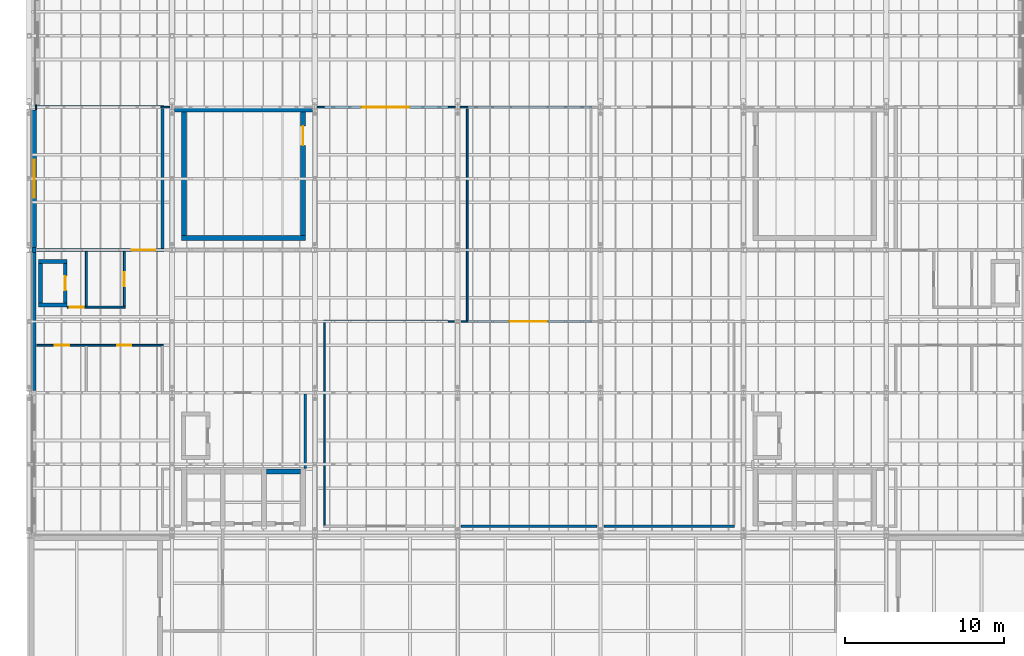
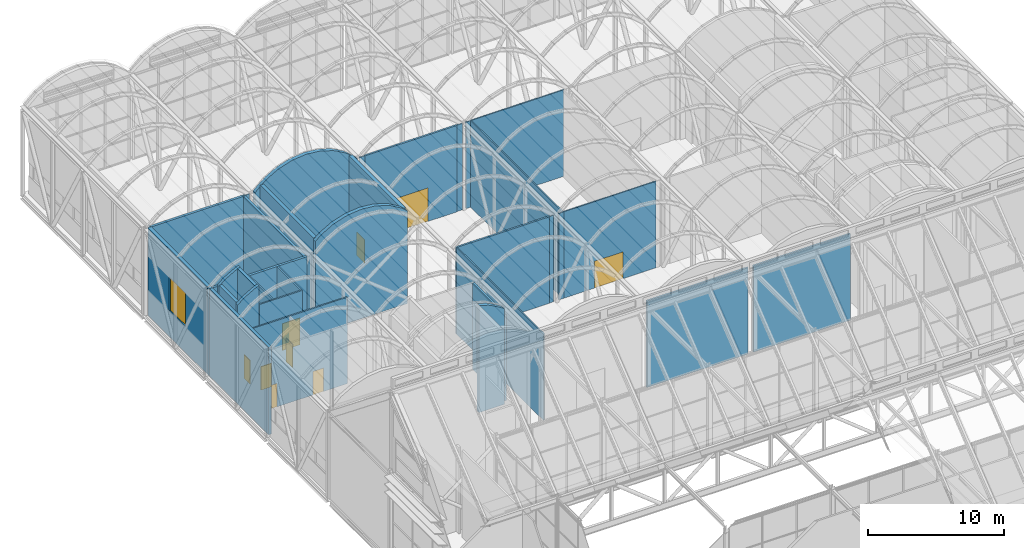
# One storey, part 129 of 144: 35 walls, 9 doors, 1 window, 10 openings.
"""IFC4 building model written with IfcOpenShell, lengths in metres."""

from ifc_helpers import new_model, si_unit, direction, frame, frame_2d, origin, place, context, subcontext, project, spatial, polyline, rectangle, outline, extrude, material, layer, layer_set, type_object, element, fill, save


model = new_model("IFC4")

# Units and contexts
model_context = context("Model", 3, precision=1e-05, world=origin(), true_north=direction((0.0, 1.0)))
body_context = subcontext(model_context, "Body", "Model", "MODEL_VIEW")
ifc_project = project(units=[si_unit("LENGTHUNIT", "METRE"), si_unit("AREAUNIT", "SQUARE_METRE"), si_unit("VOLUMEUNIT", "CUBIC_METRE"), si_unit("PLANEANGLEUNIT", "RADIAN"), si_unit("MASSUNIT", "GRAM", prefix="KILO")], contexts=[model_context])

# Site, building, storey
site_placement = place(None, origin())
site = spatial("IfcSite", under=ifc_project, at=site_placement, CompositionType="ELEMENT")
building_placement = place(site_placement, origin())
building = spatial("IfcBuilding", under=site, at=building_placement, Name="Shorebreak Coast Museum", CompositionType="ELEMENT")
storey_placement = place(building_placement, frame((0.0, 0.0, 36.0)))
storey = spatial("IfcBuildingStorey", under=building, at=storey_placement, Name="L06", CompositionType="ELEMENT", Elevation=36.0)

# Walls
ifc_material_1 = material(Name="Concrete N50 (50 MPa)", Category="concrete")
ifc_layer_1 = layer(ifc_material_1, 0.25)
ifc_layer_set_1 = layer_set([ifc_layer_1], Name="Concrete N50 (50 MPa)")
wall_type_1 = type_object("IfcWallType", Name="Column closure panel 250", PredefinedType="SOLIDWALL", material=ifc_layer_set_1)
wall_1_placement = place(storey_placement, frame((54.318603515625, 107.839111328125, 0.0), z_axis=(0.0, 0.0, 1.0), x_axis=(0.0, 1.0, 0.0)))
element("IfcWall", 1, at=wall_1_placement, inside=storey, type_object=wall_type_1, Name="Column closure panel L06 W 7N", PredefinedType="SOLIDWALL", context=body_context, shape_type="SweptSolid", body=[
    extrude(rectangle(XDim=0.32177734375, YDim=0.25, at=frame_2d((0.160888671875, 0.0))), origin(), (0.0, 0.0, 1.0), 7.800048828125),
])
ifc_material_2 = material(Name="Concrete N50 (50 MPa)", Category="concrete")
ifc_layer_2 = layer(ifc_material_2, 0.068603515625)
ifc_layer_set_2 = layer_set([ifc_layer_2], Name="Concrete N50 (50 MPa)")
wall_type_2 = type_object("IfcWallType", Name="Column closure panel 69", PredefinedType="SOLIDWALL", material=ifc_layer_set_2)
wall_2_placement = place(storey_placement, frame((54.434326171875, 116.83642578125, 0.0), z_axis=(0.0, 0.0, 1.0), x_axis=(0.0, 1.0, 0.0)))
element("IfcWall", 2, at=wall_2_placement, inside=storey, type_object=wall_type_2, Name="Column closure panel L06 W 7P", PredefinedType="SOLIDWALL", context=body_context, shape_type="SweptSolid", body=[
    extrude(rectangle(XDim=0.3271484375, YDim=0.068603515625, at=frame_2d((0.16357421875, 0.0))), origin(), (0.0, 0.0, 1.0), 7.800048828125),
])
ifc_material_3 = material(Name="Plasterboard on steel stud", Category="steel")
ifc_layer_3 = layer(ifc_material_3, 0.14990234375)
ifc_layer_set_3 = layer_set([ifc_layer_3], Name="Plasterboard on steel stud")
wall_type_3 = type_object("IfcWallType", Name="Fire partition 150", PredefinedType="PARTITIONING", material=ifc_layer_set_3)
wall_3_placement = place(storey_placement, frame((81.219970703125, 90.60009765625, 0.0), z_axis=(0.0, 0.0, 1.0), x_axis=(1.0, 0.0, 0.0)))
element("IfcWall", 3, at=wall_3_placement, inside=storey, type_object=wall_type_3, Name="Partition L06-009", PredefinedType="PARTITIONING", context=body_context, shape_type="SweptSolid", body=[
    extrude(rectangle(XDim=8.56005859375, YDim=0.14990234375, at=frame_2d((4.280029296875, 0.0))), origin(), (0.0, 0.0, 1.0), 7.73095703125),
])
wall_4_placement = place(storey_placement, frame((90.219970703125, 90.60009765625, 0.0), z_axis=(0.0, 0.0, 1.0), x_axis=(1.0, 0.0, 0.0)))
element("IfcWall", 4, at=wall_4_placement, inside=storey, type_object=wall_type_3, Name="Partition L06-010", PredefinedType="PARTITIONING", context=body_context, shape_type="SweptSolid", body=[
    extrude(rectangle(XDim=8.22998046875, YDim=0.14990234375, at=frame_2d((4.114990234375, 0.0))), origin(), (0.0, 0.0, 1.0), 7.73095703125),
])
wall_5_placement = place(storey_placement, frame((72.550048828125, 103.5, 0.0), z_axis=(0.0, 0.0, 1.0), x_axis=(1.0, 0.0, 0.0)))
element("IfcWall", 5, at=wall_5_placement, inside=storey, type_object=wall_type_3, Name="Partition L06-027", PredefinedType="PARTITIONING", context=body_context, shape_type="SweptSolid", body=[
    extrude(rectangle(XDim=7.849853515625, YDim=0.14990234375, at=frame_2d((3.9248046875, 0.0))), origin(), (0.0, 0.0, 1.0), 7.73095703125),
])

# Wall, opening, door
wall_6_placement = place(storey_placement, frame((72.60009765625, 117.0, 0.0), z_axis=(0.0, 0.0, 1.0), x_axis=(1.0, 0.0, 0.0)))
wall_6 = element("IfcWall", 6, at=wall_6_placement, inside=storey, type_object=wall_type_3, Name="Partition L06-041", PredefinedType="PARTITIONING", context=body_context, shape_type="SweptSolid", body=[
    extrude(rectangle(XDim=7.7998046875, YDim=0.14990234375, at=frame_2d((3.89990234375, 0.0))), origin(), (0.0, 0.0, 1.0), 7.73095703125),
])
opening_1_placement = place(wall_6_placement, frame((2.35009765625, 0.0, 0.0)))
opening_1 = element("IfcOpeningElement", 7, at=opening_1_placement, cuts=wall_6, Name="Opening D6022", PredefinedType="OPENING", context=body_context, shape_type="SweptSolid", body=[
    extrude(rectangle(XDim=3.0, YDim=3.0, at=frame_2d((1.5, 1.5))), frame((0.0, 0.0849609375, 0.0), z_axis=(0.0, -1.0, 0.0), x_axis=(1.0, 0.0, 0.0)), (0.0, 0.0, 1.0), 0.169921875),
])
ifc_material_4 = material(Name="Steel", Category="steel")
door_type_1 = type_object("IfcDoorType", Name="Fire door 3000x3000 60", OperationType="DOUBLE_DOOR_SINGLE_SWING", PredefinedType="DOOR", material=ifc_material_4)
door_1_placement = place(opening_1_placement, origin())
door_1 = element("IfcDoor", 8, at=door_1_placement, inside=storey, type_object=door_type_1, Name="Door D6022 Top-lit Gallery 6.03", OperationType="DOUBLE_DOOR_SINGLE_SWING", OverallHeight=3.0, OverallWidth=3.0, PredefinedType="DOOR", context=body_context, shape_type="SweptSolid", body=[
    extrude(rectangle(XDim=3.0, YDim=3.0, at=frame_2d((1.5, 1.5))), frame((0.0, 0.02490234375, 0.0), z_axis=(0.0, -1.0, 0.0), x_axis=(1.0, 0.0, 0.0)), (0.0, 0.0, 1.0), 0.050048828125),
])
fill(opening_1, door_1)

# Wall
wall_7_placement = place(storey_placement, frame((71.39990234375, 94.25, 0.0), z_axis=(0.0, 0.0, 1.0), x_axis=(0.0, 1.0, 0.0)))
element("IfcWall", 9, at=wall_7_placement, inside=storey, type_object=wall_type_3, Name="Partition L06-065", PredefinedType="PARTITIONING", context=body_context, shape_type="SweptSolid", body=[
    extrude(rectangle(XDim=4.675048828125, YDim=0.14990234375, at=frame_2d((2.33740234375, 0.0))), origin(), (0.0, 0.0, 1.0), 7.73095703125),
])

# Wall, opening, door
ifc_material_5 = material(Name="Concrete masonry", Category="masonry")
ifc_layer_4 = layer(ifc_material_5, 0.199951171875)
ifc_layer_set_4 = layer_set([ifc_layer_4], Name="Concrete masonry")
wall_type_4 = type_object("IfcWallType", Name="Fire wall 200", PredefinedType="PARTITIONING", material=ifc_layer_set_4)
wall_8_placement = place(storey_placement, frame((54.468505859375, 108.0, 0.0), z_axis=(0.0, 0.0, 1.0), x_axis=(1.0, 0.0, 0.0)))
wall_8 = element("IfcWall", 10, at=wall_8_placement, inside=storey, type_object=wall_type_4, Name="Partition L06-036", PredefinedType="PARTITIONING", context=body_context, shape_type="SweptSolid", body=[
    extrude(rectangle(XDim=8.031494140625, YDim=0.199951171875, at=frame_2d((4.015625, 0.0))), origin(), (0.0, 0.0, 1.0), 7.73095703125),
])
opening_2_placement = place(wall_8_placement, frame((5.9814453125, 0.0, 0.0)))
opening_2 = element("IfcOpeningElement", 11, at=opening_2_placement, cuts=wall_8, Name="Opening D6018", PredefinedType="OPENING", context=body_context, shape_type="SweptSolid", body=[
    extrude(rectangle(XDim=1.5, YDim=2.39990234375, at=frame_2d((0.75, 1.199951171875))), frame((0.0, 0.10986328125, 0.0), z_axis=(0.0, -1.0, 0.0), x_axis=(1.0, 0.0, 0.0)), (0.0, 0.0, 1.0), 0.219970703125),
])
ifc_material_6 = material(Name="Steel", Category="steel")
door_type_2 = type_object("IfcDoorType", Name="Fire door 1500x2400 120", OperationType="DOUBLE_DOOR_SINGLE_SWING", PredefinedType="DOOR", material=ifc_material_6)
door_2_placement = place(opening_2_placement, origin())
door_2 = element("IfcDoor", 12, at=door_2_placement, inside=storey, type_object=door_type_2, Name="Door D6018 Plant Room 6.01", OperationType="DOUBLE_DOOR_SINGLE_SWING", OverallHeight=2.39990234375, OverallWidth=1.5, PredefinedType="DOOR", context=body_context, shape_type="SweptSolid", body=[
    extrude(rectangle(XDim=1.5, YDim=2.39990234375, at=frame_2d((0.75, 1.199951171875))), frame((0.0, 0.02490234375, 0.0), z_axis=(0.0, -1.0, 0.0), x_axis=(1.0, 0.0, 0.0)), (0.0, 0.0, 1.0), 0.050048828125),
])
fill(opening_2, door_2)

# Walls
wall_9_placement = place(storey_placement, frame((54.468505859375, 117.0, 0.0), z_axis=(0.0, 0.0, 1.0), x_axis=(1.0, 0.0, 0.0)))
element("IfcWall", 13, at=wall_9_placement, inside=storey, type_object=wall_type_4, Name="Partition L06-038", PredefinedType="PARTITIONING", context=body_context, shape_type="SweptSolid", body=[
    extrude(rectangle(XDim=8.031494140625, YDim=0.199951171875, at=frame_2d((4.015625, 0.0))), origin(), (0.0, 0.0, 1.0), 7.73095703125),
])
wall_10_placement = place(storey_placement, frame((62.39990234375, 108.10009765625, 0.0), z_axis=(0.0, 0.0, 1.0), x_axis=(0.0, 1.0, 0.0)))
element("IfcWall", 14, at=wall_10_placement, inside=storey, type_object=wall_type_4, Name="Partition L06-062", PredefinedType="PARTITIONING", context=body_context, shape_type="SweptSolid", body=[
    extrude(rectangle(XDim=8.7998046875, YDim=0.199951171875, at=frame_2d((4.39990234375, 0.0))), origin(), (0.0, 0.0, 1.0), 7.73095703125),
])
ifc_material_7 = material(Name="Plasterboard on steel stud", Category="steel")
ifc_layer_5 = layer(ifc_material_7, 0.10009765625)
ifc_layer_set_5 = layer_set([ifc_layer_5], Name="Plasterboard on steel stud")
wall_type_5 = type_object("IfcWallType", Name="Partition 100", PredefinedType="PARTITIONING", material=ifc_layer_set_5)
wall_11_placement = place(storey_placement, frame((80.400390625, 103.5, 0.0), z_axis=(0.0, 0.0, 1.0), x_axis=(1.0, 0.0, 0.0)))
element("IfcWall", 15, at=wall_11_placement, inside=storey, type_object=wall_type_5, Name="Partition L06-028", PredefinedType="PARTITIONING", context=body_context, shape_type="SweptSolid", body=[
    extrude(rectangle(XDim=0.379638671875, YDim=0.10009765625, at=frame_2d((0.18994140625, 0.0))), origin(), (0.0, 0.0, 1.0), 7.73095703125),
])
wall_12_placement = place(storey_placement, frame((81.219970703125, 103.5, 0.0), z_axis=(0.0, 0.0, 1.0), x_axis=(1.0, 0.0, 0.0)))
element("IfcWall", 16, at=wall_12_placement, inside=storey, type_object=wall_type_5, Name="Partition L06-029", PredefinedType="PARTITIONING", context=body_context, shape_type="SweptSolid", body=[
    extrude(rectangle(XDim=0.429443359375, YDim=0.10009765625, at=frame_2d((0.21484375, 0.0))), origin(), (0.0, 0.0, 1.0), 7.73095703125),
])

# Wall, opening, door
wall_13_placement = place(storey_placement, frame((81.550048828125, 103.5, 0.0), z_axis=(0.0, 0.0, 1.0), x_axis=(1.0, 0.0, 0.0)))
wall_13 = element("IfcWall", 17, at=wall_13_placement, inside=storey, type_object=wall_type_5, Name="Partition L06-030", PredefinedType="PARTITIONING", context=body_context, shape_type="SweptSolid", body=[
    extrude(rectangle(XDim=7.89990234375, YDim=0.10009765625, at=frame_2d((3.949951171875, 0.0))), origin(), (0.0, 0.0, 1.0), 7.73095703125),
])
opening_3_placement = place(wall_13_placement, frame((2.699951171875, 0.0, 0.0)))
opening_3 = element("IfcOpeningElement", 18, at=opening_3_placement, cuts=wall_13, Name="Opening D6020", PredefinedType="OPENING", context=body_context, shape_type="SweptSolid", body=[
    extrude(rectangle(XDim=2.39990234375, YDim=2.39990234375, at=frame_2d((1.199951171875, 1.199951171875))), frame((0.0, 0.06005859375, 0.0), z_axis=(0.0, -1.0, 0.0), x_axis=(1.0, 0.0, 0.0)), (0.0, 0.0, 1.0), 0.1201171875),
])
ifc_material_8 = material(Name="Timber", Category="wood")
door_type_3 = type_object("IfcDoorType", Name="Interior door 2400x2400", OperationType="DOUBLE_DOOR_SINGLE_SWING", PredefinedType="DOOR", material=ifc_material_8)
door_3_placement = place(opening_3_placement, origin())
door_3 = element("IfcDoor", 19, at=door_3_placement, inside=storey, type_object=door_type_3, Name="Door D6020 Members Lounge", OperationType="DOUBLE_DOOR_SINGLE_SWING", OverallHeight=2.39990234375, OverallWidth=2.39990234375, PredefinedType="DOOR", context=body_context, shape_type="SweptSolid", body=[
    extrude(rectangle(XDim=2.39990234375, YDim=2.39990234375, at=frame_2d((1.199951171875, 1.199951171875))), frame((0.0, 0.02490234375, 0.0), z_axis=(0.0, -1.0, 0.0), x_axis=(1.0, 0.0, 0.0)), (0.0, 0.0, 1.0), 0.050048828125),
])
fill(opening_3, door_3)

# Walls
wall_14_placement = place(storey_placement, frame((62.300537109375, 117.0, 0.0), z_axis=(0.0, 0.0, 1.0), x_axis=(1.0, 0.0, 0.0)))
element("IfcWall", 20, at=wall_14_placement, inside=storey, type_object=wall_type_5, Name="Partition L06-039", PredefinedType="PARTITIONING", context=body_context, shape_type="SweptSolid", body=[
    extrude(rectangle(XDim=0.5439453125, YDim=0.10009765625, at=frame_2d((0.27197265625, 0.0))), origin(), (0.0, 0.0, 1.0), 7.73095703125),
])
for number, where, z_axis, x_axis, name in (
    (21, (72.155517578125, 117.0, 0.0), (0.0, 0.0, 1.0), (1.0, 0.0, 0.0), "Partition L06-040"),
    (22, (80.400390625, 117.0, 0.0), (0.0, 0.0, 1.0), (1.0, 0.0, 0.0), "Partition L06-042"),
):
    element("IfcWall", number, at=place(storey_placement, frame(where, z_axis=z_axis, x_axis=x_axis)), inside=storey, type_object=wall_type_5, Name=name, PredefinedType="PARTITIONING", context=body_context, shape_type="SweptSolid", body=[
        extrude(rectangle(XDim=0.444091796875, YDim=0.10009765625, at=frame_2d((0.22216796875, 0.0))), origin(), (0.0, 0.0, 1.0), 7.73095703125),
    ])
wall_15_placement = place(storey_placement, frame((81.155517578125, 117.0, 0.0), z_axis=(0.0, 0.0, 1.0), x_axis=(1.0, 0.0, 0.0)))
element("IfcWall", 23, at=wall_15_placement, inside=storey, type_object=wall_type_5, Name="Partition L06-043", PredefinedType="PARTITIONING", context=body_context, shape_type="SweptSolid", body=[
    extrude(rectangle(XDim=0.493896484375, YDim=0.10009765625, at=frame_2d((0.2470703125, 0.0))), origin(), (0.0, 0.0, 1.0), 7.73095703125),
])
wall_16_placement = place(storey_placement, frame((81.550048828125, 117.0, 0.0), z_axis=(0.0, 0.0, 1.0), x_axis=(1.0, 0.0, 0.0)))
element("IfcWall", 24, at=wall_16_placement, inside=storey, type_object=wall_type_5, Name="Partition L06-044", PredefinedType="PARTITIONING", context=body_context, shape_type="SweptSolid", body=[
    extrude(rectangle(XDim=7.89990234375, YDim=0.10009765625, at=frame_2d((3.949951171875, 0.0))), origin(), (0.0, 0.0, 1.0), 7.73095703125),
])
wall_17_placement = place(storey_placement, frame((72.60009765625, 90.675048828125, 0.0), z_axis=(0.0, 0.0, 1.0), x_axis=(0.0, 1.0, 0.0)))
element("IfcWall", 25, at=wall_17_placement, inside=storey, type_object=wall_type_5, Name="Partition L06-066", PredefinedType="PARTITIONING", context=body_context, shape_type="SweptSolid", body=[
    extrude(rectangle(XDim=12.75, YDim=0.10009765625, at=frame_2d((6.375, 0.0))), origin(), (0.0, 0.0, 1.0), 7.73095703125),
])
wall_18_placement = place(storey_placement, frame((81.60009765625, 103.550048828125, 0.0), z_axis=(0.0, 0.0, 1.0), x_axis=(0.0, 1.0, 0.0)))
element("IfcWall", 26, at=wall_18_placement, inside=storey, type_object=wall_type_5, Name="Partition L06-067", PredefinedType="PARTITIONING", context=body_context, shape_type="SweptSolid", body=[
    extrude(rectangle(XDim=13.39990234375, YDim=0.10009765625, at=frame_2d((6.699951171875, 0.0))), origin(), (0.0, 0.0, 1.0), 7.73095703125),
])

# Wall, openings, doors
ifc_material_9 = material(Name="Plasterboard on steel stud", Category="steel")
ifc_layer_6 = layer(ifc_material_9, 0.125)
ifc_layer_set_6 = layer_set([ifc_layer_6], Name="Plasterboard on steel stud")
wall_type_6 = type_object("IfcWallType", Name="Partition 125", PredefinedType="PARTITIONING", material=ifc_layer_set_6)
wall_19_placement = place(storey_placement, frame((54.468505859375, 102.0, 0.0), z_axis=(0.0, 0.0, 1.0), x_axis=(1.0, 0.0, 0.0)))
wall_19 = element("IfcWall", 27, at=wall_19_placement, inside=storey, type_object=wall_type_6, Name="Partition L06-025", PredefinedType="PARTITIONING", context=body_context, shape_type="SweptSolid", body=[
    extrude(rectangle(XDim=7.993896484375, YDim=0.125, at=frame_2d((3.9970703125, 0.0))), origin(), (0.0, 0.0, 1.0), 7.73095703125),
])
opening_4_placement = place(wall_19_placement, frame((1.14990234375, 0.0, 0.0)))
opening_4 = element("IfcOpeningElement", 28, at=opening_4_placement, cuts=wall_19, Name="Opening D6012", PredefinedType="OPENING", context=body_context, shape_type="SweptSolid", body=[
    extrude(rectangle(XDim=0.89990234375, YDim=2.10009765625, at=frame_2d((0.449951171875, 1.050048828125))), frame((0.0, 0.072509765625, 0.0), z_axis=(0.0, -1.0, 0.0), x_axis=(1.0, 0.0, 0.0)), (0.0, 0.0, 1.0), 0.14501953125),
])
opening_5_placement = place(wall_19_placement, frame((5.081298828125, 0.0, 0.0)))
opening_5 = element("IfcOpeningElement", 29, at=opening_5_placement, cuts=wall_19, Name="Opening D6013", PredefinedType="OPENING", context=body_context, shape_type="SweptSolid", body=[
    extrude(rectangle(XDim=0.89990234375, YDim=2.10009765625, at=frame_2d((0.449951171875, 1.050048828125))), frame((0.0, 0.072509765625, 0.0), z_axis=(0.0, -1.0, 0.0), x_axis=(1.0, 0.0, 0.0)), (0.0, 0.0, 1.0), 0.14501953125),
])
ifc_material_10 = material(Name="Timber", Category="wood")
door_type_4 = type_object("IfcDoorType", Name="Interior door 900x2100", OperationType="SINGLE_SWING_LEFT", PredefinedType="DOOR", material=ifc_material_10)
door_4_placement = place(opening_4_placement, origin())
door_4 = element("IfcDoor", 30, at=door_4_placement, inside=storey, type_object=door_type_4, Name="Door D6012 Accessible WC N1", OperationType="SINGLE_SWING_RIGHT", OverallHeight=2.10009765625, OverallWidth=0.89990234375, PredefinedType="DOOR", context=body_context, shape_type="SweptSolid", body=[
    extrude(rectangle(XDim=0.89990234375, YDim=2.10009765625, at=frame_2d((0.449951171875, 1.050048828125))), frame((0.0, 0.02490234375, 0.0), z_axis=(0.0, -1.0, 0.0), x_axis=(1.0, 0.0, 0.0)), (0.0, 0.0, 1.0), 0.050048828125),
])
fill(opening_4, door_4)
door_5_placement = place(opening_5_placement, origin())
door_5 = element("IfcDoor", 31, at=door_5_placement, inside=storey, type_object=door_type_4, Name="Door D6013 Male WC N1", OperationType="SINGLE_SWING_RIGHT", OverallHeight=2.10009765625, OverallWidth=0.89990234375, PredefinedType="DOOR", context=body_context, shape_type="SweptSolid", body=[
    extrude(rectangle(XDim=0.89990234375, YDim=2.10009765625, at=frame_2d((0.449951171875, 1.050048828125))), frame((0.0, 0.02490234375, 0.0), z_axis=(0.0, -1.0, 0.0), x_axis=(1.0, 0.0, 0.0)), (0.0, 0.0, 1.0), 0.050048828125),
])
fill(opening_5, door_5)

# Wall, opening, door
wall_20_placement = place(storey_placement, frame((56.39990234375, 104.39990234375, 0.0), z_axis=(0.0, 0.0, 1.0), x_axis=(1.0, 0.0, 0.0)))
wall_20 = element("IfcWall", 32, at=wall_20_placement, inside=storey, type_object=wall_type_6, Name="Partition L06-034", PredefinedType="PARTITIONING", context=body_context, shape_type="SweptSolid", body=[
    extrude(rectangle(XDim=3.66259765625, YDim=0.125, at=frame_2d((1.831298828125, 0.0))), origin(), (0.0, 0.0, 1.0), 7.73095703125),
])
opening_6_placement = place(wall_20_placement, frame((0.14990234375, 0.0, 0.0)))
opening_6 = element("IfcOpeningElement", 33, at=opening_6_placement, cuts=wall_20, Name="Opening D6010", PredefinedType="OPENING", context=body_context, shape_type="SweptSolid", body=[
    extrude(rectangle(XDim=0.89990234375, YDim=2.10009765625, at=frame_2d((0.449951171875, 1.050048828125))), frame((0.0, 0.072509765625, 0.0), z_axis=(0.0, -1.0, 0.0), x_axis=(1.0, 0.0, 0.0)), (0.0, 0.0, 1.0), 0.14501953125),
])
door_6_placement = place(opening_6_placement, origin())
door_6 = element("IfcDoor", 34, at=door_6_placement, inside=storey, type_object=door_type_4, Name="Door D6010 Cleaner Store N1", OperationType="SINGLE_SWING_LEFT", OverallHeight=2.10009765625, OverallWidth=0.89990234375, PredefinedType="DOOR", context=body_context, shape_type="SweptSolid", body=[
    extrude(rectangle(XDim=0.89990234375, YDim=2.10009765625, at=frame_2d((0.449951171875, 1.050048828125))), frame((0.0, 0.02490234375, 0.0), z_axis=(0.0, -1.0, 0.0), x_axis=(1.0, 0.0, 0.0)), (0.0, 0.0, 1.0), 0.050048828125),
])
fill(opening_6, door_6)

# Wall
wall_21_placement = place(storey_placement, frame((57.60009765625, 104.46240234375, 0.0), z_axis=(0.0, 0.0, 1.0), x_axis=(0.0, 1.0, 0.0)))
element("IfcWall", 35, at=wall_21_placement, inside=storey, type_object=wall_type_6, Name="Partition L06-054", PredefinedType="PARTITIONING", context=body_context, shape_type="SweptSolid", body=[
    extrude(rectangle(XDim=3.4375, YDim=0.125, at=frame_2d((1.71875, 0.0))), origin(), (0.0, 0.0, 1.0), 7.73095703125),
])

# Wall, opening, door
wall_22_placement = place(storey_placement, frame((60.0, 104.46240234375, 0.0), z_axis=(0.0, 0.0, 1.0), x_axis=(0.0, 1.0, 0.0)))
wall_22 = element("IfcWall", 36, at=wall_22_placement, inside=storey, type_object=wall_type_6, Name="Partition L06-059", PredefinedType="PARTITIONING", context=body_context, shape_type="SweptSolid", body=[
    extrude(rectangle(XDim=3.4375, YDim=0.125, at=frame_2d((1.71875, 0.0))), origin(), (0.0, 0.0, 1.0), 7.73095703125),
])
opening_7_placement = place(wall_22_placement, frame((1.25, 0.0, 0.0)))
opening_7 = element("IfcOpeningElement", 37, at=opening_7_placement, cuts=wall_22, Name="Opening D6011", PredefinedType="OPENING", context=body_context, shape_type="SweptSolid", body=[
    extrude(rectangle(XDim=0.89990234375, YDim=2.10009765625, at=frame_2d((0.449951171875, 1.050048828125))), frame((0.0, 0.072509765625, 0.0), z_axis=(0.0, -1.0, 0.0), x_axis=(1.0, 0.0, 0.0)), (0.0, 0.0, 1.0), 0.14501953125),
])
door_7_placement = place(opening_7_placement, origin())
door_7 = element("IfcDoor", 38, at=door_7_placement, inside=storey, type_object=door_type_4, Name="Door D6011 Female WC N1", OperationType="SINGLE_SWING_LEFT", OverallHeight=2.10009765625, OverallWidth=0.89990234375, PredefinedType="DOOR", context=body_context, shape_type="SweptSolid", body=[
    extrude(rectangle(XDim=0.89990234375, YDim=2.10009765625, at=frame_2d((0.449951171875, 1.050048828125))), frame((0.0, 0.02490234375, 0.0), z_axis=(0.0, -1.0, 0.0), x_axis=(1.0, 0.0, 0.0)), (0.0, 0.0, 1.0), 0.050048828125),
])
fill(opening_7, door_7)

# Wall, opening, window
ifc_material_11 = material(Name="Concrete N50 (50 MPa)", Category="concrete")
ifc_layer_7 = layer(ifc_material_11, 0.300048828125)
ifc_layer_set_7 = layer_set([ifc_layer_7], Name="Concrete N50 (50 MPa)")
wall_type_7 = type_object("IfcWallType", Name="Plant wall 300 rated", PredefinedType="SOLIDWALL", material=ifc_layer_set_7)
wall_23_placement = place(storey_placement, frame((54.318603515625, 108.160888671875, 0.0), z_axis=(0.0, 0.0, 1.0), x_axis=(0.0, 1.0, 0.0)))
wall_23 = element("IfcWall", 39, at=wall_23_placement, inside=storey, type_object=wall_type_7, Name="External wall L06 W 7N", PredefinedType="SOLIDWALL", context=body_context, shape_type="SweptSolid", body=[
    extrude(rectangle(XDim=8.675537109375, YDim=0.300048828125, at=frame_2d((4.337890625, 0.0))), origin(), (0.0, 0.0, 1.0), 7.800048828125),
])
opening_8_placement = place(wall_23_placement, frame((3.138916015625, 0.0, 2.300048828125)))
opening_8 = element("IfcOpeningElement", 40, at=opening_8_placement, cuts=wall_23, Name="Opening WN6004", PredefinedType="OPENING", context=body_context, shape_type="SweptSolid", body=[
    extrude(rectangle(XDim=2.39990234375, YDim=3.0, at=frame_2d((1.199951171875, 1.5))), frame((0.0, 0.159912109375, 0.0), z_axis=(0.0, -1.0, 0.0), x_axis=(1.0, 0.0, 0.0)), (0.0, 0.0, 1.0), 0.320068359375),
])
ifc_material_12 = material(Name="Aluminium", Category="aluminium")
window_type = type_object("IfcWindowType", Name="Plant louvre 2400 x 3000", PartitioningType="TRIPLE_PANEL_VERTICAL", PredefinedType="WINDOW", material=ifc_material_12)
window_placement = place(opening_8_placement, origin())
window = element("IfcWindow", 41, at=window_placement, inside=storey, type_object=window_type, Name="Louvre WN6004", OverallHeight=3.0, OverallWidth=2.39990234375, PartitioningType="TRIPLE_PANEL_VERTICAL", PredefinedType="WINDOW", context=body_context, shape_type="SweptSolid", body=[
    extrude(rectangle(XDim=2.39990234375, YDim=3.0, at=frame_2d((1.199951171875, 1.5))), frame((0.0, 0.030029296875, 0.0), z_axis=(0.0, -1.0, 0.0), x_axis=(1.0, 0.0, 0.0)), (0.0, 0.0, 1.0), 0.06005859375),
])
fill(opening_8, window)

# Walls
ifc_material_13 = material(Name="Concrete N50 (50 MPa)", Category="concrete")
ifc_layer_8 = layer(ifc_material_13, 0.25)
ifc_layer_set_8 = layer_set([ifc_layer_8], Name="Concrete N50 (50 MPa)")
wall_type_8 = type_object("IfcWallType", Name="Precast upper panel 250", PredefinedType="SOLIDWALL", material=ifc_layer_set_8)
wall_24_placement = place(storey_placement, frame((54.318603515625, 99.160888671875, 0.0), z_axis=(0.0, 0.0, 1.0), x_axis=(0.0, 1.0, 0.0)))
element("IfcWall", 42, at=wall_24_placement, inside=storey, type_object=wall_type_8, Name="External wall L06 W 7M", PredefinedType="SOLIDWALL", context=body_context, shape_type="SweptSolid", body=[
    extrude(rectangle(XDim=8.67822265625, YDim=0.25, at=frame_2d((4.339111328125, 0.0))), origin(), (0.0, 0.0, 1.0), 7.800048828125),
])
ifc_material_14 = material(Name="Concrete N50 (50 MPa)", Category="concrete")
ifc_layer_9 = layer(ifc_material_14, 0.25)
ifc_layer_set_9 = layer_set([ifc_layer_9], Name="Concrete N50 (50 MPa)")
wall_type_9 = type_object("IfcWallType", Name="RC riser wall 250", PredefinedType="STANDARD", material=ifc_layer_set_9)
for number, where, z_axis, x_axis, name in (
    (43, (54.60009765625, 104.52490234375, 0.0), (0.0, 0.0, 1.0), (1.0, 0.0, 0.0), "Riser wall R-WC-N1 L06 S"),
    (44, (54.60009765625, 107.27490234375, 0.0), (0.0, 0.0, 1.0), (1.0, 0.0, 0.0), "Riser wall R-WC-N1 L06 N"),
):
    element("IfcWall", number, at=place(storey_placement, frame(where, z_axis=z_axis, x_axis=x_axis)), inside=storey, type_object=wall_type_9, Name=name, PredefinedType="STANDARD", context=body_context, shape_type="SweptSolid", body=[
        extrude(outline(polyline([(0.0, 0.0), (1.7998046875, 0.0), (1.800048828125, 9.384765625), (1.54296875, 9.30126953125), (1.28564453125, 9.158935546875), (0.514404296875, 8.714599609375), (0.257080078125, 8.501220703125), (0.0, 8.27001953125), (0.0, 0.0)])), frame((0.0, 0.125, 0.0), z_axis=(0.0, -1.0, 0.0), x_axis=(1.0, 0.0, 0.0)), (0.0, 0.0, 1.0), 0.25),
    ])
wall_25_placement = place(storey_placement, frame((54.72509765625, 104.64990234375, 0.0), z_axis=(0.0, 0.0, 1.0), x_axis=(0.0, 1.0, 0.0)))
element("IfcWall", 45, at=wall_25_placement, inside=storey, type_object=wall_type_9, Name="Riser wall R-WC-N1 L06 W", PredefinedType="STANDARD", context=body_context, shape_type="SweptSolid", body=[
    extrude(rectangle(XDim=2.5, YDim=0.25, at=frame_2d((1.25, 0.0))), origin(), (0.0, 0.0, 1.0), 8.38232421875),
])

# Wall, opening, door
wall_26_placement = place(storey_placement, frame((56.27490234375, 104.64990234375, 0.0), z_axis=(0.0, 0.0, 1.0), x_axis=(0.0, 1.0, 0.0)))
wall_26 = element("IfcWall", 46, at=wall_26_placement, inside=storey, type_object=wall_type_9, Name="Riser wall R-WC-N1 L06 E", PredefinedType="STANDARD", context=body_context, shape_type="SweptSolid", body=[
    extrude(rectangle(XDim=2.5, YDim=0.25, at=frame_2d((1.25, 0.0))), origin(), (0.0, 0.0, 1.0), 9.34423828125),
])
opening_9_placement = place(wall_26_placement, frame((0.800048828125, 0.0, 0.0)))
opening_9 = element("IfcOpeningElement", 47, at=opening_9_placement, cuts=wall_26, Name="Opening D6601", PredefinedType="OPENING", context=body_context, shape_type="SweptSolid", body=[
    extrude(rectangle(XDim=0.89990234375, YDim=2.10009765625, at=frame_2d((0.449951171875, 1.050048828125))), frame((0.0, 0.135009765625, 0.0), z_axis=(0.0, -1.0, 0.0), x_axis=(1.0, 0.0, 0.0)), (0.0, 0.0, 1.0), 0.27001953125),
])
ifc_material_15 = material(Name="Steel Grade 300", Category="steel")
door_type_5 = type_object("IfcDoorType", Name="Riser door 900x2100", OperationType="SINGLE_SWING_LEFT", PredefinedType="DOOR", material=ifc_material_15)
door_8_placement = place(opening_9_placement, origin())
door_8 = element("IfcDoor", 48, at=door_8_placement, inside=storey, type_object=door_type_5, Name="Riser door R-WC-N1 L06", OperationType="SINGLE_SWING_RIGHT", OverallHeight=2.10009765625, OverallWidth=0.89990234375, PredefinedType="DOOR", context=body_context, shape_type="SweptSolid", body=[
    extrude(rectangle(XDim=0.89990234375, YDim=2.10009765625, at=frame_2d((0.449951171875, 1.050048828125))), frame((0.0, 0.02490234375, 0.0), z_axis=(0.0, -1.0, 0.0), x_axis=(1.0, 0.0, 0.0)), (0.0, 0.0, 1.0), 0.050048828125),
])
fill(opening_9, door_8)

# Walls
ifc_material_16 = material(Name="Concrete N50 (50 MPa)", Category="concrete")
ifc_layer_10 = layer(ifc_material_16, 0.300048828125)
ifc_layer_set_10 = layer_set([ifc_layer_10], Name="Concrete N50 (50 MPa)")
wall_type_10 = type_object("IfcWallType", Name="RC wall 300", PredefinedType="SHEAR", material=ifc_layer_set_10)
wall_27_placement = place(storey_placement, frame((63.60009765625, 108.75, 0.0), z_axis=(0.0, 0.0, 1.0), x_axis=(1.0, 0.0, 0.0)))
element("IfcWall", 49, at=wall_27_placement, inside=storey, type_object=wall_type_10, Name="Stair core wall ST09 L06 S", PredefinedType="SHEAR", context=body_context, shape_type="SweptSolid", body=[
    extrude(outline(polyline([(0.0, 0.0), (7.7998046875, 0.0), (7.800048828125, 8.27001953125), (7.54833984375, 8.49609375), (7.296875, 8.7080078125), (6.5419921875, 9.14306640625), (6.290283203125, 9.29052734375), (5.283935546875, 9.616943359375), (5.0322265625, 9.68017578125), (4.02587890625, 9.78564453125), (3.774169921875, 9.78564453125), (2.767578125, 9.68017578125), (2.51611328125, 9.616943359375), (1.509765625, 9.29052734375), (1.258056640625, 9.14306640625), (0.503173828125, 8.7080078125), (0.251708984375, 8.49609375), (0.0, 8.27001953125), (0.0, 0.0)])), frame((0.0, 0.14990234375, 0.0), z_axis=(0.0, -1.0, 0.0), x_axis=(1.0, 0.0, 0.0)), (0.0, 0.0, 1.0), 0.300048828125),
])
wall_28_placement = place(storey_placement, frame((63.155517578125, 116.85009765625, 0.0), z_axis=(0.0, 0.0, 1.0), x_axis=(1.0, 0.0, 0.0)))
element("IfcWall", 50, at=wall_28_placement, inside=storey, type_object=wall_type_10, Name="Stair core wall ST09 L06 N", PredefinedType="SHEAR", context=body_context, shape_type="SweptSolid", body=[
    extrude(outline(polyline([(0.0, 0.0), (8.68896484375, 0.0), (8.68896484375, 7.870849609375), (7.92236328125, 8.5595703125), (7.666748046875, 8.7509765625), (6.900146484375, 9.19287109375), (6.64453125, 9.31982421875), (5.622314453125, 9.6513671875), (5.36669921875, 9.691650390625), (4.344482421875, 9.798828125), (3.322265625, 9.691650390625), (3.066650390625, 9.6513671875), (2.04443359375, 9.31982421875), (1.788818359375, 9.19287109375), (1.022216796875, 8.7509765625), (0.7666015625, 8.5595703125), (0.0, 7.870849609375), (0.0, 0.0)])), frame((0.0, 0.14990234375, 0.0), z_axis=(0.0, -1.0, 0.0), x_axis=(1.0, 0.0, 0.0)), (0.0, 0.0, 1.0), 0.300048828125),
])
wall_29_placement = place(storey_placement, frame((63.75, 108.89990234375, 0.0), z_axis=(0.0, 0.0, 1.0), x_axis=(0.0, 1.0, 0.0)))
element("IfcWall", 51, at=wall_29_placement, inside=storey, type_object=wall_type_10, Name="Stair core wall ST09 L06 W", PredefinedType="SHEAR", context=body_context, shape_type="SweptSolid", body=[
    extrude(rectangle(XDim=7.800048828125, YDim=0.300048828125, at=frame_2d((3.89990234375, 0.0))), origin(), (0.0, 0.0, 1.0), 8.40478515625),
])

# Wall, opening, door
wall_30_placement = place(storey_placement, frame((71.25, 108.89990234375, 0.0), z_axis=(0.0, 0.0, 1.0), x_axis=(0.0, 1.0, 0.0)))
wall_30 = element("IfcWall", 52, at=wall_30_placement, inside=storey, type_object=wall_type_10, Name="Stair core wall ST09 L06 E", PredefinedType="SHEAR", context=body_context, shape_type="SweptSolid", body=[
    extrude(rectangle(XDim=7.800048828125, YDim=0.300048828125, at=frame_2d((3.89990234375, 0.0))), origin(), (0.0, 0.0, 1.0), 8.40478515625),
])
opening_10_placement = place(wall_30_placement, frame((5.699951171875, 0.0, 0.0)))
opening_10 = element("IfcOpeningElement", 53, at=opening_10_placement, cuts=wall_30, Name="Opening D6809", PredefinedType="OPENING", context=body_context, shape_type="SweptSolid", body=[
    extrude(rectangle(XDim=1.199951171875, YDim=2.10009765625, at=frame_2d((0.60009765625, 1.050048828125))), frame((0.0, 0.159912109375, 0.0), z_axis=(0.0, -1.0, 0.0), x_axis=(1.0, 0.0, 0.0)), (0.0, 0.0, 1.0), 0.320068359375),
])
ifc_material_17 = material(Name="Steel Grade 300", Category="steel")
door_type_6 = type_object("IfcDoorType", Name="Fire door 1200x2100", OperationType="SINGLE_SWING_LEFT", PredefinedType="DOOR", material=ifc_material_17)
door_9_placement = place(opening_10_placement, origin())
door_9 = element("IfcDoor", 54, at=door_9_placement, inside=storey, type_object=door_type_6, Name="Stair door ST09 L06", OperationType="SINGLE_SWING_LEFT", OverallHeight=2.10009765625, OverallWidth=1.199951171875, PredefinedType="DOOR", context=body_context, shape_type="SweptSolid", body=[
    extrude(rectangle(XDim=1.199951171875, YDim=2.10009765625, at=frame_2d((0.60009765625, 1.050048828125))), frame((0.0, 0.02490234375, 0.0), z_axis=(0.0, -1.0, 0.0), x_axis=(1.0, 0.0, 0.0)), (0.0, 0.0, 1.0), 0.050048828125),
])
fill(opening_10, door_9)

# Wall
wall_31_placement = place(storey_placement, frame((68.949951171875, 94.050048828125, 0.0), z_axis=(0.0, 0.0, 1.0), x_axis=(1.0, 0.0, 0.0)))
element("IfcWall", 55, at=wall_31_placement, inside=storey, type_object=wall_type_10, Name="Lift shaft wall P2 L06 B", PredefinedType="SHEAR", context=body_context, shape_type="SweptSolid", body=[
    extrude(outline(polyline([(0.0, 0.0), (2.150146484375, 0.0), (2.14990234375, 8.53955078125), (1.881103515625, 8.745849609375), (1.074951171875, 9.21044921875), (0.80615234375, 9.333984375), (0.0, 9.595703125), (0.0, 0.0)])), frame((0.0, 0.14990234375, 0.0), z_axis=(0.0, -1.0, 0.0), x_axis=(1.0, 0.0, 0.0)), (0.0, 0.0, 1.0), 0.300048828125),
])

save(model, "model.ifc")
